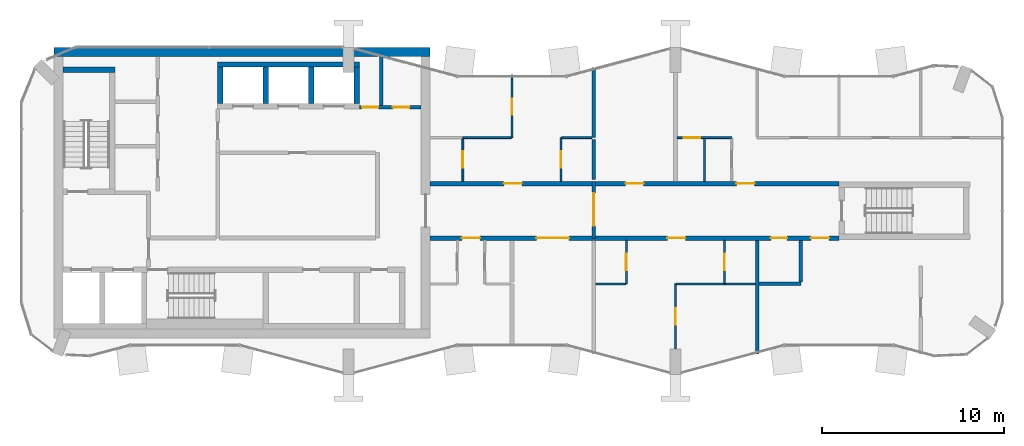
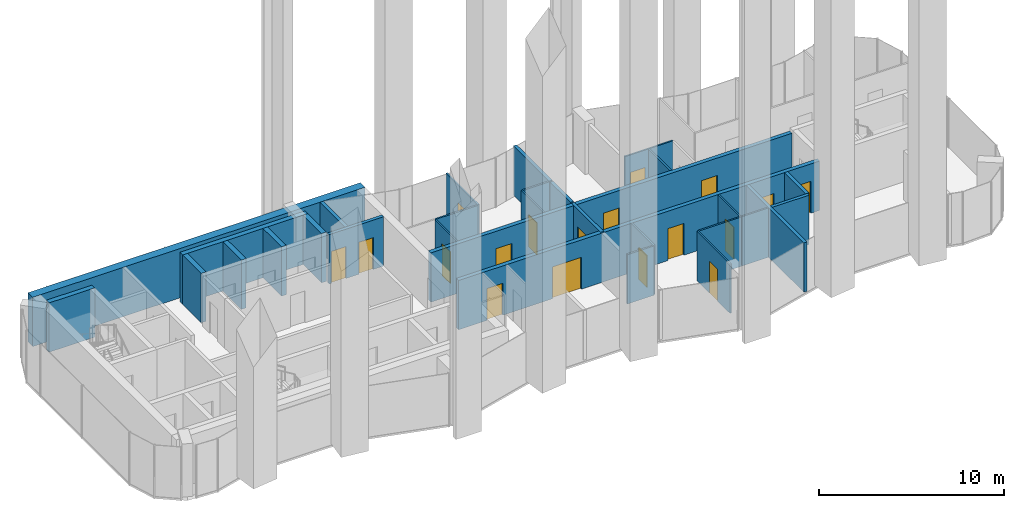
# One storey, part 8 of 11: 30 walls, 18 doors, 18 openings.
"""IFC4 building model written with IfcOpenShell, lengths in metres."""

from ifc_helpers import new_model, si_unit, direction, frame, frame_2d, origin, place, context, subcontext, project, spatial, rectangle, extrude, material, layer, layer_set, type_object, element, fill, save


model = new_model("IFC4")

# Units and contexts
model_context = context("Model", 3, precision=1e-05, world=origin(), true_north=direction((0.0, 1.0)))
body_context = subcontext(model_context, "Body", "Model", "MODEL_VIEW")
ifc_project = project(units=[si_unit("LENGTHUNIT", "METRE"), si_unit("AREAUNIT", "SQUARE_METRE"), si_unit("VOLUMEUNIT", "CUBIC_METRE"), si_unit("PLANEANGLEUNIT", "RADIAN"), si_unit("MASSUNIT", "GRAM", prefix="KILO")], contexts=[model_context])

# Site, building, storey
site_placement = place(None, origin())
site = spatial("IfcSite", under=ifc_project, at=site_placement, CompositionType="ELEMENT")
building_placement = place(site_placement, origin())
building = spatial("IfcBuilding", under=site, at=building_placement, Name="Plateau Cross Towers", CompositionType="ELEMENT")
storey_placement = place(building_placement, frame((0.0, 0.0, 242.39990234375)))
storey = spatial("IfcBuildingStorey", under=building, at=storey_placement, Name="L63", CompositionType="ELEMENT", Elevation=242.39990234375)

# Wall, openings, doors
ifc_material_1 = material(Name="Concrete block, plastered both sides", Category="concrete")
ifc_layer_1 = layer(ifc_material_1, 0.199951171875)
ifc_layer_set_1 = layer_set([ifc_layer_1], Name="Concrete block, plastered both sides")
wall_type_1 = type_object("IfcWallType", Name="Core partition 200", PredefinedType="PARTITIONING", material=ifc_layer_set_1)
wall_1_placement = place(storey_placement, frame((18.60009765625, 14.699951171875, 0.0), z_axis=(0.0, 0.0, 1.0), x_axis=(1.0, 0.0, 0.0)))
wall_1 = element("IfcWall", 1, at=wall_1_placement, inside=storey, type_object=wall_type_1, Name="Core partition", PredefinedType="PARTITIONING", context=body_context, shape_type="SweptSolid", body=[
    extrude(rectangle(XDim=3.39990234375, YDim=0.199951171875, at=frame_2d((1.699951171875, 0.0))), origin(), (0.0, 0.0, 1.0), 3.25),
])
opening_1_placement = place(wall_1_placement, frame((0.14990234375, 0.0, 0.0)))
opening_1 = element("IfcOpeningElement", 2, at=opening_1_placement, cuts=wall_1, Name="Opening RD2", PredefinedType="OPENING", context=body_context, shape_type="SweptSolid", body=[
    extrude(rectangle(XDim=0.89990234375, YDim=2.10009765625, at=frame_2d((0.449951171875, 1.050048828125))), frame((0.0, 0.10986328125, 0.0), z_axis=(0.0, -1.0, 0.0), x_axis=(1.0, 0.0, 0.0)), (0.0, 0.0, 1.0), 0.219970703125),
])
opening_2_placement = place(wall_1_placement, frame((1.85009765625, 0.0, 0.0)))
opening_2 = element("IfcOpeningElement", 3, at=opening_2_placement, cuts=wall_1, Name="Opening RD2", PredefinedType="OPENING", context=body_context, shape_type="SweptSolid", body=[
    extrude(rectangle(XDim=0.89990234375, YDim=2.10009765625, at=frame_2d((0.449951171875, 1.050048828125))), frame((0.0, 0.10986328125, 0.0), z_axis=(0.0, -1.0, 0.0), x_axis=(1.0, 0.0, 0.0)), (0.0, 0.0, 1.0), 0.219970703125),
])
ifc_material_2 = material(Name="Steel, fire-resisting leaf", Category="steel")
door_type_1 = type_object("IfcDoorType", Name="Core riser door 900", OperationType="NOTDEFINED", PredefinedType="DOOR", material=ifc_material_2)
door_1_placement = place(opening_1_placement, origin())
door_1 = element("IfcDoor", 4, at=door_1_placement, inside=storey, type_object=door_type_1, Name="Core riser door RD2", OperationType="SINGLE_SWING_LEFT", OverallHeight=2.10009765625, OverallWidth=0.89990234375, PredefinedType="DOOR", context=body_context, shape_type="SweptSolid", body=[
    extrude(rectangle(XDim=0.89990234375, YDim=2.10009765625, at=frame_2d((0.449951171875, 1.050048828125))), frame((0.0, 0.02490234375, 0.0), z_axis=(0.0, -1.0, 0.0), x_axis=(1.0, 0.0, 0.0)), (0.0, 0.0, 1.0), 0.050048828125),
])
fill(opening_1, door_1)
door_2_placement = place(opening_2_placement, origin())
door_2 = element("IfcDoor", 5, at=door_2_placement, inside=storey, type_object=door_type_1, Name="Core riser door RD2", OperationType="SINGLE_SWING_LEFT", OverallHeight=2.10009765625, OverallWidth=0.89990234375, PredefinedType="DOOR", context=body_context, shape_type="SweptSolid", body=[
    extrude(rectangle(XDim=0.89990234375, YDim=2.10009765625, at=frame_2d((0.449951171875, 1.050048828125))), frame((0.0, 0.02490234375, 0.0), z_axis=(0.0, -1.0, 0.0), x_axis=(1.0, 0.0, 0.0)), (0.0, 0.0, 1.0), 0.050048828125),
])
fill(opening_2, door_2)

# Walls
wall_2_placement = place(storey_placement, frame((19.800048828125, 14.800048828125, 0.0), z_axis=(0.0, 0.0, 1.0), x_axis=(0.0, 1.0, 0.0)))
element("IfcWall", 6, at=wall_2_placement, inside=storey, type_object=wall_type_1, Name="Core partition", PredefinedType="PARTITIONING", context=body_context, shape_type="SweptSolid", body=[
    extrude(rectangle(XDim=2.699951171875, YDim=0.199951171875, at=frame_2d((1.35009765625, 0.0))), origin(), (0.0, 0.0, 1.0), 3.25),
])
ifc_material_3 = material(Name="Concrete C60/75", Category="concrete")
ifc_layer_2 = layer(ifc_material_3, 0.300048828125)
ifc_layer_set_2 = layer_set([ifc_layer_2], Name="Concrete C60/75")
wall_type_2 = type_object("IfcWallType", Name="Core shaft wall 300", PredefinedType="SHEAR", material=ifc_layer_set_2)
wall_3_placement = place(storey_placement, frame((2.300048828125, 16.75, 0.0), z_axis=(0.0, 0.0, 1.0), x_axis=(1.0, 0.0, 0.0)))
element("IfcWall", 7, at=wall_3_placement, inside=storey, type_object=wall_type_2, Name="A-st1-N@L63", PredefinedType="SHEAR", context=body_context, shape_type="SweptSolid", body=[
    extrude(rectangle(XDim=2.849853515625, YDim=0.300048828125, at=frame_2d((1.4248046875, 0.0))), origin(), (0.0, 0.0, 1.0), 3.25),
])
wall_4_placement = place(storey_placement, frame((10.800048828125, 17.050048828125, 0.0), z_axis=(0.0, 0.0, 1.0), x_axis=(1.0, 0.0, 0.0)))
element("IfcWall", 8, at=wall_4_placement, inside=storey, type_object=wall_type_2, Name="A-nb-back@L63", PredefinedType="SHEAR", context=body_context, shape_type="SweptSolid", body=[
    extrude(rectangle(XDim=7.800048828125, YDim=0.300048828125, at=frame_2d((3.89990234375, 0.0))), origin(), (0.0, 0.0, 1.0), 3.25),
])
for number, where, z_axis, x_axis, name in (
    (9, (10.949951171875, 14.89990234375, 0.0), (0.0, 0.0, 1.0), (0.0, 1.0, 0.0), "A-nb-v1@L63"),
    (10, (13.449951171875, 14.89990234375, 0.0), (0.0, 0.0, 1.0), (0.0, 1.0, 0.0), "A-nb-v2@L63"),
    (11, (15.949951171875, 14.89990234375, 0.0), (0.0, 0.0, 1.0), (0.0, 1.0, 0.0), "A-nb-v3@L63"),
    (12, (18.449951171875, 14.89990234375, 0.0), (0.0, 0.0, 1.0), (0.0, 1.0, 0.0), "A-nb-v4@L63"),
):
    element("IfcWall", number, at=place(storey_placement, frame(where, z_axis=z_axis, x_axis=x_axis)), inside=storey, type_object=wall_type_2, Name=name, PredefinedType="SHEAR", context=body_context, shape_type="SweptSolid", body=[
        extrude(rectangle(XDim=2.0, YDim=0.300048828125, at=frame_2d((1.0, 0.0))), origin(), (0.0, 0.0, 1.0), 3.25),
    ])
ifc_layer_3 = layer(ifc_material_3, 0.5)
ifc_layer_set_3 = layer_set([ifc_layer_3], Name="Concrete C60/75")
wall_type_3 = type_object("IfcWallType", Name="Core shell wall 500", PredefinedType="SHEAR", material=ifc_layer_set_3)
wall_5_placement = place(storey_placement, frame((1.800048828125, 17.75, 0.0), z_axis=(0.0, 0.0, 1.0), x_axis=(1.0, 0.0, 0.0)))
element("IfcWall", 13, at=wall_5_placement, inside=storey, type_object=wall_type_3, Name="A-core-N@L63", PredefinedType="SHEAR", context=body_context, shape_type="SweptSolid", body=[
    extrude(rectangle(XDim=20.699951171875, YDim=0.5, at=frame_2d((10.35009765625, 0.0))), origin(), (0.0, 0.0, 1.0), 3.25),
])

# Wall, openings, doors
ifc_layer_4 = layer(ifc_material_3, 0.25)
ifc_layer_set_4 = layer_set([ifc_layer_4], Name="Concrete C60/75")
wall_type_4 = type_object("IfcWallType", Name="Corridor wall 250", PredefinedType="SHEAR", material=ifc_layer_set_4)
wall_6_placement = place(storey_placement, frame((22.5, 7.5, 0.0), z_axis=(0.0, 0.0, 1.0), x_axis=(1.0, 0.0, 0.0)))
wall_6 = element("IfcWall", 14, at=wall_6_placement, inside=storey, type_object=wall_type_4, Name="A-cw-S1@L63", PredefinedType="SHEAR", context=body_context, shape_type="SweptSolid", body=[
    extrude(rectangle(XDim=22.5, YDim=0.25, at=frame_2d((11.25, 0.0))), origin(), (0.0, 0.0, 1.0), 3.25),
])
opening_3_placement = place(wall_6_placement, frame((1.75, 0.0, 0.0)))
opening_3 = element("IfcOpeningElement", 15, at=opening_3_placement, cuts=wall_6, Name="Opening 63-01", PredefinedType="OPENING", context=body_context, shape_type="SweptSolid", body=[
    extrude(rectangle(XDim=1.0, YDim=2.10009765625, at=frame_2d((0.5, 1.050048828125))), frame((0.0, 0.135009765625, 0.0), z_axis=(0.0, -1.0, 0.0), x_axis=(1.0, 0.0, 0.0)), (0.0, 0.0, 1.0), 0.27001953125),
])
opening_4_placement = place(wall_6_placement, frame((5.85009765625, 0.0, 0.0)))
opening_4 = element("IfcOpeningElement", 16, at=opening_4_placement, cuts=wall_6, Name="Opening 63-02", PredefinedType="OPENING", context=body_context, shape_type="SweptSolid", body=[
    extrude(rectangle(XDim=1.800048828125, YDim=2.10009765625, at=frame_2d((0.89990234375, 1.050048828125))), frame((0.0, 0.135009765625, 0.0), z_axis=(0.0, -1.0, 0.0), x_axis=(1.0, 0.0, 0.0)), (0.0, 0.0, 1.0), 0.27001953125),
])
opening_5_placement = place(wall_6_placement, frame((13.050048828125, 0.0, 0.0)))
opening_5 = element("IfcOpeningElement", 17, at=opening_5_placement, cuts=wall_6, Name="Opening 63-03", PredefinedType="OPENING", context=body_context, shape_type="SweptSolid", body=[
    extrude(rectangle(XDim=1.0, YDim=2.10009765625, at=frame_2d((0.5, 1.050048828125))), frame((0.0, 0.135009765625, 0.0), z_axis=(0.0, -1.0, 0.0), x_axis=(1.0, 0.0, 0.0)), (0.0, 0.0, 1.0), 0.27001953125),
])
opening_6_placement = place(wall_6_placement, frame((18.75, 0.0, 0.0)))
opening_6 = element("IfcOpeningElement", 18, at=opening_6_placement, cuts=wall_6, Name="Opening 63-04", PredefinedType="OPENING", context=body_context, shape_type="SweptSolid", body=[
    extrude(rectangle(XDim=0.89990234375, YDim=2.10009765625, at=frame_2d((0.449951171875, 1.050048828125))), frame((0.0, 0.135009765625, 0.0), z_axis=(0.0, -1.0, 0.0), x_axis=(1.0, 0.0, 0.0)), (0.0, 0.0, 1.0), 0.27001953125),
])
opening_7_placement = place(wall_6_placement, frame((20.949951171875, 0.0, 0.0)))
opening_7 = element("IfcOpeningElement", 19, at=opening_7_placement, cuts=wall_6, Name="Opening 63-05", PredefinedType="OPENING", context=body_context, shape_type="SweptSolid", body=[
    extrude(rectangle(XDim=1.0, YDim=2.10009765625, at=frame_2d((0.5, 1.050048828125))), frame((0.0, 0.135009765625, 0.0), z_axis=(0.0, -1.0, 0.0), x_axis=(1.0, 0.0, 0.0)), (0.0, 0.0, 1.0), 0.27001953125),
])
ifc_material_4 = material(Name="Timber, fire-resisting leaf", Category="wood")
door_type_2 = type_object("IfcDoorType", Name="Flat entrance door 1000", OperationType="NOTDEFINED", PredefinedType="DOOR", material=ifc_material_4)
door_3_placement = place(opening_3_placement, origin())
door_3 = element("IfcDoor", 20, at=door_3_placement, inside=storey, type_object=door_type_2, Name="Door 63-01", OperationType="SINGLE_SWING_LEFT", OverallHeight=2.10009765625, OverallWidth=1.0, PredefinedType="DOOR", context=body_context, shape_type="SweptSolid", body=[
    extrude(rectangle(XDim=1.0, YDim=2.10009765625, at=frame_2d((0.5, 1.050048828125))), frame((0.0, 0.02490234375, 0.0), z_axis=(0.0, -1.0, 0.0), x_axis=(1.0, 0.0, 0.0)), (0.0, 0.0, 1.0), 0.050048828125),
])
fill(opening_3, door_3)
door_4_placement = place(opening_5_placement, origin())
door_4 = element("IfcDoor", 21, at=door_4_placement, inside=storey, type_object=door_type_2, Name="Door 63-03", OperationType="SINGLE_SWING_RIGHT", OverallHeight=2.10009765625, OverallWidth=1.0, PredefinedType="DOOR", context=body_context, shape_type="SweptSolid", body=[
    extrude(rectangle(XDim=1.0, YDim=2.10009765625, at=frame_2d((0.5, 1.050048828125))), frame((0.0, 0.02490234375, 0.0), z_axis=(0.0, -1.0, 0.0), x_axis=(1.0, 0.0, 0.0)), (0.0, 0.0, 1.0), 0.050048828125),
])
fill(opening_5, door_4)
door_5_placement = place(opening_7_placement, origin())
door_5 = element("IfcDoor", 22, at=door_5_placement, inside=storey, type_object=door_type_2, Name="Door 63-05", OperationType="SINGLE_SWING_RIGHT", OverallHeight=2.10009765625, OverallWidth=1.0, PredefinedType="DOOR", context=body_context, shape_type="SweptSolid", body=[
    extrude(rectangle(XDim=1.0, YDim=2.10009765625, at=frame_2d((0.5, 1.050048828125))), frame((0.0, 0.02490234375, 0.0), z_axis=(0.0, -1.0, 0.0), x_axis=(1.0, 0.0, 0.0)), (0.0, 0.0, 1.0), 0.050048828125),
])
fill(opening_7, door_5)
ifc_material_5 = material(Name="Timber, fire-resisting leaves", Category="wood")
door_type_3 = type_object("IfcDoorType", Name="Flat floor fire door pair 1800", OperationType="NOTDEFINED", PredefinedType="DOOR", material=ifc_material_5)
door_6_placement = place(opening_4_placement, origin())
door_6 = element("IfcDoor", 23, at=door_6_placement, inside=storey, type_object=door_type_3, Name="Door 63-02", OperationType="SINGLE_SWING_LEFT", OverallHeight=2.10009765625, OverallWidth=1.800048828125, PredefinedType="DOOR", context=body_context, shape_type="SweptSolid", body=[
    extrude(rectangle(XDim=1.800048828125, YDim=2.10009765625, at=frame_2d((0.89990234375, 1.050048828125))), frame((0.0, 0.02490234375, 0.0), z_axis=(0.0, -1.0, 0.0), x_axis=(1.0, 0.0, 0.0)), (0.0, 0.0, 1.0), 0.050048828125),
])
fill(opening_4, door_6)
door_type_4 = type_object("IfcDoorType", Name="Flat floor service door 900", OperationType="NOTDEFINED", PredefinedType="DOOR", material=ifc_material_4)
door_7_placement = place(opening_6_placement, origin())
door_7 = element("IfcDoor", 24, at=door_7_placement, inside=storey, type_object=door_type_4, Name="Door 63-04", OperationType="SINGLE_SWING_RIGHT", OverallHeight=2.10009765625, OverallWidth=0.89990234375, PredefinedType="DOOR", context=body_context, shape_type="SweptSolid", body=[
    extrude(rectangle(XDim=0.89990234375, YDim=2.10009765625, at=frame_2d((0.449951171875, 1.050048828125))), frame((0.0, 0.02490234375, 0.0), z_axis=(0.0, -1.0, 0.0), x_axis=(1.0, 0.0, 0.0)), (0.0, 0.0, 1.0), 0.050048828125),
])
fill(opening_6, door_7)

wall_7_placement = place(storey_placement, frame((22.5, 10.5, 0.0), z_axis=(0.0, 0.0, 1.0), x_axis=(1.0, 0.0, 0.0)))
wall_7 = element("IfcWall", 25, at=wall_7_placement, inside=storey, type_object=wall_type_4, Name="A-cw-S2@L63", PredefinedType="SHEAR", context=body_context, shape_type="SweptSolid", body=[
    extrude(rectangle(XDim=22.5, YDim=0.25, at=frame_2d((11.25, 0.0))), origin(), (0.0, 0.0, 1.0), 3.25),
])
opening_8_placement = place(wall_7_placement, frame((4.050048828125, 0.0, 0.0)))
opening_8 = element("IfcOpeningElement", 26, at=opening_8_placement, cuts=wall_7, Name="Opening 63-06", PredefinedType="OPENING", context=body_context, shape_type="SweptSolid", body=[
    extrude(rectangle(XDim=1.0, YDim=2.10009765625, at=frame_2d((0.5, 1.050048828125))), frame((0.0, 0.135009765625, 0.0), z_axis=(0.0, -1.0, 0.0), x_axis=(1.0, 0.0, 0.0)), (0.0, 0.0, 1.0), 0.27001953125),
])
opening_9_placement = place(wall_7_placement, frame((10.75, 0.0, 0.0)))
opening_9 = element("IfcOpeningElement", 27, at=opening_9_placement, cuts=wall_7, Name="Opening 63-07", PredefinedType="OPENING", context=body_context, shape_type="SweptSolid", body=[
    extrude(rectangle(XDim=1.0, YDim=2.10009765625, at=frame_2d((0.5, 1.050048828125))), frame((0.0, 0.135009765625, 0.0), z_axis=(0.0, -1.0, 0.0), x_axis=(1.0, 0.0, 0.0)), (0.0, 0.0, 1.0), 0.27001953125),
])
opening_10_placement = place(wall_7_placement, frame((16.85009765625, 0.0, 0.0)))
opening_10 = element("IfcOpeningElement", 28, at=opening_10_placement, cuts=wall_7, Name="Opening 63-08", PredefinedType="OPENING", context=body_context, shape_type="SweptSolid", body=[
    extrude(rectangle(XDim=1.0, YDim=2.10009765625, at=frame_2d((0.5, 1.050048828125))), frame((0.0, 0.135009765625, 0.0), z_axis=(0.0, -1.0, 0.0), x_axis=(1.0, 0.0, 0.0)), (0.0, 0.0, 1.0), 0.27001953125),
])
door_8_placement = place(opening_8_placement, origin())
door_8 = element("IfcDoor", 29, at=door_8_placement, inside=storey, type_object=door_type_2, Name="Door 63-06", OperationType="SINGLE_SWING_LEFT", OverallHeight=2.10009765625, OverallWidth=1.0, PredefinedType="DOOR", context=body_context, shape_type="SweptSolid", body=[
    extrude(rectangle(XDim=1.0, YDim=2.10009765625, at=frame_2d((0.5, 1.050048828125))), frame((0.0, 0.02490234375, 0.0), z_axis=(0.0, -1.0, 0.0), x_axis=(1.0, 0.0, 0.0)), (0.0, 0.0, 1.0), 0.050048828125),
])
fill(opening_8, door_8)
door_9_placement = place(opening_9_placement, origin())
door_9 = element("IfcDoor", 30, at=door_9_placement, inside=storey, type_object=door_type_2, Name="Door 63-07", OperationType="SINGLE_SWING_LEFT", OverallHeight=2.10009765625, OverallWidth=1.0, PredefinedType="DOOR", context=body_context, shape_type="SweptSolid", body=[
    extrude(rectangle(XDim=1.0, YDim=2.10009765625, at=frame_2d((0.5, 1.050048828125))), frame((0.0, 0.02490234375, 0.0), z_axis=(0.0, -1.0, 0.0), x_axis=(1.0, 0.0, 0.0)), (0.0, 0.0, 1.0), 0.050048828125),
])
fill(opening_9, door_9)
door_10_placement = place(opening_10_placement, origin())
door_10 = element("IfcDoor", 31, at=door_10_placement, inside=storey, type_object=door_type_2, Name="Door 63-08", OperationType="SINGLE_SWING_RIGHT", OverallHeight=2.10009765625, OverallWidth=1.0, PredefinedType="DOOR", context=body_context, shape_type="SweptSolid", body=[
    extrude(rectangle(XDim=1.0, YDim=2.10009765625, at=frame_2d((0.5, 1.050048828125))), frame((0.0, 0.02490234375, 0.0), z_axis=(0.0, -1.0, 0.0), x_axis=(1.0, 0.0, 0.0)), (0.0, 0.0, 1.0), 0.050048828125),
])
fill(opening_10, door_10)

# Walls
ifc_material_6 = material(Name="Gypsum board on steel studs", Category="steel")
ifc_layer_5 = layer(ifc_material_6, 0.10009765625)
ifc_layer_set_5 = layer_set([ifc_layer_5], Name="Gypsum board on steel studs")
wall_type_5 = type_object("IfcWallType", Name="Flat partition 100", PredefinedType="PARTITIONING", material=ifc_layer_set_5)
wall_8_placement = place(storey_placement, frame((38.699951171875, 4.97509765625, 0.0), z_axis=(0.0, 0.0, 1.0), x_axis=(-1.0, 0.0, 0.0)))
element("IfcWall", 32, at=wall_8_placement, inside=storey, type_object=wall_type_5, Name="Partition wall", PredefinedType="PARTITIONING", context=body_context, shape_type="SweptSolid", body=[
    extrude(rectangle(XDim=2.64990234375, YDim=0.10009765625, at=frame_2d((1.324951171875, 0.0))), origin(), (0.0, 0.0, 1.0), 3.25),
])
for number, where, z_axis, x_axis, name in (
    (33, (31.60009765625, 4.97509765625, 0.0), (0.0, 0.0, 1.0), (1.0, 0.0, 0.0), "Partition wall"),
    (34, (38.75, 4.97509765625, 0.0), (0.0, 0.0, 1.0), (1.0, 0.0, 0.0), "Partition wall"),
    (35, (31.39990234375, 13.02490234375, 0.0), (0.0, 0.0, 1.0), (-1.0, 0.0, 0.0), "Partition wall"),
):
    element("IfcWall", number, at=place(storey_placement, frame(where, z_axis=z_axis, x_axis=x_axis)), inside=storey, type_object=wall_type_5, Name=name, PredefinedType="PARTITIONING", context=body_context, shape_type="SweptSolid", body=[
        extrude(rectangle(XDim=1.64990234375, YDim=0.10009765625, at=frame_2d((0.824951171875, 0.0))), origin(), (0.0, 0.0, 1.0), 3.25),
    ])

# Wall, opening, door
wall_9_placement = place(storey_placement, frame((39.10009765625, 13.02490234375, 0.0), z_axis=(0.0, 0.0, 1.0), x_axis=(-1.0, 0.0, 0.0)))
wall_9 = element("IfcWall", 36, at=wall_9_placement, inside=storey, type_object=wall_type_5, Name="Partition wall", PredefinedType="PARTITIONING", context=body_context, shape_type="SweptSolid", body=[
    extrude(rectangle(XDim=3.0, YDim=0.10009765625, at=frame_2d((1.5, 0.0))), origin(), (0.0, 0.0, 1.0), 3.25),
])
opening_11_placement = place(wall_9_placement, frame((1.75, 0.0, 0.0)))
opening_11 = element("IfcOpeningElement", 37, at=opening_11_placement, cuts=wall_9, Name="Opening 63-19", PredefinedType="OPENING", context=body_context, shape_type="SweptSolid", body=[
    extrude(rectangle(XDim=0.89990234375, YDim=2.10009765625, at=frame_2d((0.449951171875, 1.050048828125))), frame((0.0, 0.06005859375, 0.0), z_axis=(0.0, -1.0, 0.0), x_axis=(1.0, 0.0, 0.0)), (0.0, 0.0, 1.0), 0.1201171875),
])
ifc_material_7 = material(Name="Timber leaf", Category="wood")
door_type_5 = type_object("IfcDoorType", Name="Flat room door 900", OperationType="NOTDEFINED", PredefinedType="DOOR", material=ifc_material_7)
door_11_placement = place(opening_11_placement, origin())
door_11 = element("IfcDoor", 38, at=door_11_placement, inside=storey, type_object=door_type_5, Name="Door 63-19", OperationType="SINGLE_SWING_RIGHT", OverallHeight=2.10009765625, OverallWidth=0.89990234375, PredefinedType="DOOR", context=body_context, shape_type="SweptSolid", body=[
    extrude(rectangle(XDim=0.89990234375, YDim=2.10009765625, at=frame_2d((0.449951171875, 1.050048828125))), frame((0.0, 0.02490234375, 0.0), z_axis=(0.0, -1.0, 0.0), x_axis=(1.0, 0.0, 0.0)), (0.0, 0.0, 1.0), 0.050048828125),
])
fill(opening_11, door_11)

# Wall
wall_10_placement = place(storey_placement, frame((24.300048828125, 13.02490234375, 0.0), z_axis=(0.0, 0.0, 1.0), x_axis=(1.0, 0.0, 0.0)))
element("IfcWall", 39, at=wall_10_placement, inside=storey, type_object=wall_type_5, Name="Partition wall", PredefinedType="PARTITIONING", context=body_context, shape_type="SweptSolid", body=[
    extrude(rectangle(XDim=2.64990234375, YDim=0.10009765625, at=frame_2d((1.324951171875, 0.0))), origin(), (0.0, 0.0, 1.0), 3.25),
])

# Wall, opening, door
wall_11_placement = place(storey_placement, frame((24.300048828125, 10.625, 0.0), z_axis=(0.0, 0.0, 1.0), x_axis=(0.0, 1.0, 0.0)))
wall_11 = element("IfcWall", 40, at=wall_11_placement, inside=storey, type_object=wall_type_5, Name="Partition wall", PredefinedType="PARTITIONING", context=body_context, shape_type="SweptSolid", body=[
    extrude(rectangle(XDim=2.35009765625, YDim=0.10009765625, at=frame_2d((1.175048828125, 0.0))), origin(), (0.0, 0.0, 1.0), 3.25),
])
opening_12_placement = place(wall_11_placement, frame((0.75, 0.0, 0.0)))
opening_12 = element("IfcOpeningElement", 41, at=opening_12_placement, cuts=wall_11, Name="Opening 63-16", PredefinedType="OPENING", context=body_context, shape_type="SweptSolid", body=[
    extrude(rectangle(XDim=0.89990234375, YDim=2.10009765625, at=frame_2d((0.449951171875, 1.050048828125))), frame((0.0, 0.06005859375, 0.0), z_axis=(0.0, -1.0, 0.0), x_axis=(1.0, 0.0, 0.0)), (0.0, 0.0, 1.0), 0.1201171875),
])
door_12_placement = place(opening_12_placement, origin())
door_12 = element("IfcDoor", 42, at=door_12_placement, inside=storey, type_object=door_type_5, Name="Door 63-16", OperationType="SINGLE_SWING_RIGHT", OverallHeight=2.10009765625, OverallWidth=0.89990234375, PredefinedType="DOOR", context=body_context, shape_type="SweptSolid", body=[
    extrude(rectangle(XDim=0.89990234375, YDim=2.10009765625, at=frame_2d((0.449951171875, 1.050048828125))), frame((0.0, 0.02490234375, 0.0), z_axis=(0.0, -1.0, 0.0), x_axis=(1.0, 0.0, 0.0)), (0.0, 0.0, 1.0), 0.050048828125),
])
fill(opening_12, door_12)

wall_12_placement = place(storey_placement, frame((27.0, 13.02490234375, 0.0), z_axis=(0.0, 0.0, 1.0), x_axis=(0.0, 1.0, 0.0)))
wall_12 = element("IfcWall", 43, at=wall_12_placement, inside=storey, type_object=wall_type_5, Name="Partition wall", PredefinedType="PARTITIONING", context=body_context, shape_type="SweptSolid", body=[
    extrude(rectangle(XDim=3.4482421875, YDim=0.10009765625, at=frame_2d((1.72412109375, 0.0))), origin(), (0.0, 0.0, 1.0), 3.25),
])
opening_13_placement = place(wall_12_placement, frame((1.25, 0.0, 0.0)))
opening_13 = element("IfcOpeningElement", 44, at=opening_13_placement, cuts=wall_12, Name="Opening 63-18", PredefinedType="OPENING", context=body_context, shape_type="SweptSolid", body=[
    extrude(rectangle(XDim=0.89990234375, YDim=2.10009765625, at=frame_2d((0.449951171875, 1.050048828125))), frame((0.0, 0.06005859375, 0.0), z_axis=(0.0, -1.0, 0.0), x_axis=(1.0, 0.0, 0.0)), (0.0, 0.0, 1.0), 0.1201171875),
])
door_13_placement = place(opening_13_placement, origin())
door_13 = element("IfcDoor", 45, at=door_13_placement, inside=storey, type_object=door_type_5, Name="Door 63-18", OperationType="SINGLE_SWING_LEFT", OverallHeight=2.10009765625, OverallWidth=0.89990234375, PredefinedType="DOOR", context=body_context, shape_type="SweptSolid", body=[
    extrude(rectangle(XDim=0.89990234375, YDim=2.10009765625, at=frame_2d((0.449951171875, 1.050048828125))), frame((0.0, 0.02490234375, 0.0), z_axis=(0.0, -1.0, 0.0), x_axis=(1.0, 0.0, 0.0)), (0.0, 0.0, 1.0), 0.050048828125),
])
fill(opening_13, door_13)

wall_13_placement = place(storey_placement, frame((29.699951171875, 13.02490234375, 0.0), z_axis=(0.0, 0.0, 1.0), x_axis=(0.0, -1.0, 0.0)))
wall_13 = element("IfcWall", 46, at=wall_13_placement, inside=storey, type_object=wall_type_5, Name="Partition wall", PredefinedType="PARTITIONING", context=body_context, shape_type="SweptSolid", body=[
    extrude(rectangle(XDim=2.39990234375, YDim=0.10009765625, at=frame_2d((1.199951171875, 0.0))), origin(), (0.0, 0.0, 1.0), 3.25),
])
opening_14_placement = place(wall_13_placement, frame((0.75, 0.0, 0.0)))
opening_14 = element("IfcOpeningElement", 47, at=opening_14_placement, cuts=wall_13, Name="Opening 63-17", PredefinedType="OPENING", context=body_context, shape_type="SweptSolid", body=[
    extrude(rectangle(XDim=0.89990234375, YDim=2.10009765625, at=frame_2d((0.449951171875, 1.050048828125))), frame((0.0, 0.06005859375, 0.0), z_axis=(0.0, -1.0, 0.0), x_axis=(1.0, 0.0, 0.0)), (0.0, 0.0, 1.0), 0.1201171875),
])
door_14_placement = place(opening_14_placement, origin())
door_14 = element("IfcDoor", 48, at=door_14_placement, inside=storey, type_object=door_type_5, Name="Door 63-17", OperationType="SINGLE_SWING_LEFT", OverallHeight=2.10009765625, OverallWidth=0.89990234375, PredefinedType="DOOR", context=body_context, shape_type="SweptSolid", body=[
    extrude(rectangle(XDim=0.89990234375, YDim=2.10009765625, at=frame_2d((0.449951171875, 1.050048828125))), frame((0.0, 0.02490234375, 0.0), z_axis=(0.0, -1.0, 0.0), x_axis=(1.0, 0.0, 0.0)), (0.0, 0.0, 1.0), 0.050048828125),
])
fill(opening_14, door_14)

wall_14_placement = place(storey_placement, frame((33.300048828125, 4.97509765625, 0.0), z_axis=(0.0, 0.0, 1.0), x_axis=(0.0, 1.0, 0.0)))
wall_14 = element("IfcWall", 49, at=wall_14_placement, inside=storey, type_object=wall_type_5, Name="Partition wall", PredefinedType="PARTITIONING", context=body_context, shape_type="SweptSolid", body=[
    extrude(rectangle(XDim=2.39990234375, YDim=0.10009765625, at=frame_2d((1.199951171875, 0.0))), origin(), (0.0, 0.0, 1.0), 3.25),
])
opening_15_placement = place(wall_14_placement, frame((0.75, 0.0, 0.0)))
opening_15 = element("IfcOpeningElement", 50, at=opening_15_placement, cuts=wall_14, Name="Opening 63-13", PredefinedType="OPENING", context=body_context, shape_type="SweptSolid", body=[
    extrude(rectangle(XDim=0.89990234375, YDim=2.10009765625, at=frame_2d((0.449951171875, 1.050048828125))), frame((0.0, 0.06005859375, 0.0), z_axis=(0.0, -1.0, 0.0), x_axis=(1.0, 0.0, 0.0)), (0.0, 0.0, 1.0), 0.1201171875),
])
door_15_placement = place(opening_15_placement, origin())
door_15 = element("IfcDoor", 51, at=door_15_placement, inside=storey, type_object=door_type_5, Name="Door 63-13", OperationType="SINGLE_SWING_LEFT", OverallHeight=2.10009765625, OverallWidth=0.89990234375, PredefinedType="DOOR", context=body_context, shape_type="SweptSolid", body=[
    extrude(rectangle(XDim=0.89990234375, YDim=2.10009765625, at=frame_2d((0.449951171875, 1.050048828125))), frame((0.0, 0.02490234375, 0.0), z_axis=(0.0, -1.0, 0.0), x_axis=(1.0, 0.0, 0.0)), (0.0, 0.0, 1.0), 0.050048828125),
])
fill(opening_15, door_15)

wall_15_placement = place(storey_placement, frame((36.0, 4.97509765625, 0.0), z_axis=(0.0, 0.0, 1.0), x_axis=(0.0, -1.0, 0.0)))
wall_15 = element("IfcWall", 52, at=wall_15_placement, inside=storey, type_object=wall_type_5, Name="Partition wall", PredefinedType="PARTITIONING", context=body_context, shape_type="SweptSolid", body=[
    extrude(rectangle(XDim=3.5751953125, YDim=0.10009765625, at=frame_2d((1.78759765625, 0.0))), origin(), (0.0, 0.0, 1.0), 3.25),
])
opening_16_placement = place(wall_15_placement, frame((1.35009765625, 0.0, 0.0)))
opening_16 = element("IfcOpeningElement", 53, at=opening_16_placement, cuts=wall_15, Name="Opening 63-15", PredefinedType="OPENING", context=body_context, shape_type="SweptSolid", body=[
    extrude(rectangle(XDim=0.89990234375, YDim=2.10009765625, at=frame_2d((0.449951171875, 1.050048828125))), frame((0.0, 0.06005859375, 0.0), z_axis=(0.0, -1.0, 0.0), x_axis=(1.0, 0.0, 0.0)), (0.0, 0.0, 1.0), 0.1201171875),
])
door_16_placement = place(opening_16_placement, origin())
door_16 = element("IfcDoor", 54, at=door_16_placement, inside=storey, type_object=door_type_5, Name="Door 63-15", OperationType="SINGLE_SWING_RIGHT", OverallHeight=2.10009765625, OverallWidth=0.89990234375, PredefinedType="DOOR", context=body_context, shape_type="SweptSolid", body=[
    extrude(rectangle(XDim=0.89990234375, YDim=2.10009765625, at=frame_2d((0.449951171875, 1.050048828125))), frame((0.0, 0.02490234375, 0.0), z_axis=(0.0, -1.0, 0.0), x_axis=(1.0, 0.0, 0.0)), (0.0, 0.0, 1.0), 0.050048828125),
])
fill(opening_16, door_16)

# Wall
wall_16_placement = place(storey_placement, frame((37.60009765625, 10.625, 0.0), z_axis=(0.0, 0.0, 1.0), x_axis=(0.0, 1.0, 0.0)))
element("IfcWall", 55, at=wall_16_placement, inside=storey, type_object=wall_type_5, Name="Partition wall", PredefinedType="PARTITIONING", context=body_context, shape_type="SweptSolid", body=[
    extrude(rectangle(XDim=2.35009765625, YDim=0.10009765625, at=frame_2d((1.175048828125, 0.0))), origin(), (0.0, 0.0, 1.0), 3.25),
])

# Wall, opening, door
wall_17_placement = place(storey_placement, frame((38.699951171875, 7.375, 0.0), z_axis=(0.0, 0.0, 1.0), x_axis=(0.0, -1.0, 0.0)))
wall_17 = element("IfcWall", 56, at=wall_17_placement, inside=storey, type_object=wall_type_5, Name="Partition wall", PredefinedType="PARTITIONING", context=body_context, shape_type="SweptSolid", body=[
    extrude(rectangle(XDim=2.35009765625, YDim=0.10009765625, at=frame_2d((1.175048828125, 0.0))), origin(), (0.0, 0.0, 1.0), 3.25),
])
opening_17_placement = place(wall_17_placement, frame((0.75, 0.0, 0.0)))
opening_17 = element("IfcOpeningElement", 57, at=opening_17_placement, cuts=wall_17, Name="Opening 63-14", PredefinedType="OPENING", context=body_context, shape_type="SweptSolid", body=[
    extrude(rectangle(XDim=0.89990234375, YDim=2.10009765625, at=frame_2d((0.449951171875, 1.050048828125))), frame((0.0, 0.06005859375, 0.0), z_axis=(0.0, -1.0, 0.0), x_axis=(1.0, 0.0, 0.0)), (0.0, 0.0, 1.0), 0.1201171875),
])
door_17_placement = place(opening_17_placement, origin())
door_17 = element("IfcDoor", 58, at=door_17_placement, inside=storey, type_object=door_type_5, Name="Door 63-14", OperationType="SINGLE_SWING_RIGHT", OverallHeight=2.10009765625, OverallWidth=0.89990234375, PredefinedType="DOOR", context=body_context, shape_type="SweptSolid", body=[
    extrude(rectangle(XDim=0.89990234375, YDim=2.10009765625, at=frame_2d((0.449951171875, 1.050048828125))), frame((0.0, 0.02490234375, 0.0), z_axis=(0.0, -1.0, 0.0), x_axis=(1.0, 0.0, 0.0)), (0.0, 0.0, 1.0), 0.050048828125),
])
fill(opening_17, door_17)

# Walls
ifc_material_8 = material(Name="Gypsum board on steel studs, two layers each side", Category="steel")
ifc_layer_6 = layer(ifc_material_8, 0.199951171875)
ifc_layer_set_6 = layer_set([ifc_layer_6], Name="Gypsum board on steel studs, two layers each side")
wall_type_6 = type_object("IfcWallType", Name="Flat party wall 200", PredefinedType="PARTITIONING", material=ifc_layer_set_6)
wall_18_placement = place(storey_placement, frame((40.60009765625, 4.97509765625, 0.0), z_axis=(0.0, 0.0, 1.0), x_axis=(1.0, 0.0, 0.0)))
element("IfcWall", 59, at=wall_18_placement, inside=storey, type_object=wall_type_6, Name="Party wall", PredefinedType="PARTITIONING", context=body_context, shape_type="SweptSolid", body=[
    extrude(rectangle(XDim=2.2998046875, YDim=0.199951171875, at=frame_2d((1.14990234375, 0.0))), origin(), (0.0, 0.0, 1.0), 3.25),
])
wall_19_placement = place(storey_placement, frame((31.5, 16.877685546875, 0.0), z_axis=(0.0, 0.0, 1.0), x_axis=(0.0, -1.0, 0.0)))
element("IfcWall", 60, at=wall_19_placement, inside=storey, type_object=wall_type_6, Name="Party wall", PredefinedType="PARTITIONING", context=body_context, shape_type="SweptSolid", body=[
    extrude(rectangle(XDim=3.852783203125, YDim=0.199951171875, at=frame_2d((1.92626953125, 0.0))), origin(), (0.0, 0.0, 1.0), 3.25),
])
wall_20_placement = place(storey_placement, frame((31.5, 10.72509765625, 0.0), z_axis=(0.0, 0.0, 1.0), x_axis=(0.0, 1.0, 0.0)))
element("IfcWall", 61, at=wall_20_placement, inside=storey, type_object=wall_type_6, Name="Party wall", PredefinedType="PARTITIONING", context=body_context, shape_type="SweptSolid", body=[
    extrude(rectangle(XDim=2.199951171875, YDim=0.199951171875, at=frame_2d((1.10009765625, 0.0))), origin(), (0.0, 0.0, 1.0), 3.25),
])
wall_21_placement = place(storey_placement, frame((40.5, 1.122314453125, 0.0), z_axis=(0.0, 0.0, 1.0), x_axis=(0.0, 1.0, 0.0)))
element("IfcWall", 62, at=wall_21_placement, inside=storey, type_object=wall_type_6, Name="Party wall", PredefinedType="PARTITIONING", context=body_context, shape_type="SweptSolid", body=[
    extrude(rectangle(XDim=6.252685546875, YDim=0.199951171875, at=frame_2d((3.12646484375, 0.0))), origin(), (0.0, 0.0, 1.0), 3.25),
])
wall_22_placement = place(storey_placement, frame((42.89990234375, 5.074951171875, 0.0), z_axis=(0.0, 0.0, 1.0), x_axis=(0.0, 1.0, 0.0)))
element("IfcWall", 63, at=wall_22_placement, inside=storey, type_object=wall_type_6, Name="Party wall", PredefinedType="PARTITIONING", context=body_context, shape_type="SweptSolid", body=[
    extrude(rectangle(XDim=2.300048828125, YDim=0.199951171875, at=frame_2d((1.14990234375, 0.0))), origin(), (0.0, 0.0, 1.0), 3.25),
])

# Wall, opening, door
wall_23_placement = place(storey_placement, frame((31.5, 7.47509765625, 0.0), z_axis=(0.0, 0.0, 1.0), x_axis=(0.0, 1.0, 0.0)))
wall_23 = element("IfcWall", 64, at=wall_23_placement, inside=storey, type_object=wall_type_6, Name="Party wall", PredefinedType="PARTITIONING", context=body_context, shape_type="SweptSolid", body=[
    extrude(rectangle(XDim=3.14990234375, YDim=0.199951171875, at=frame_2d((1.574951171875, 0.0))), origin(), (0.0, 0.0, 1.0), 3.25),
])
opening_18_placement = place(wall_23_placement, frame((0.699951171875, 0.0, 0.0)))
opening_18 = element("IfcOpeningElement", 65, at=opening_18_placement, cuts=wall_23, Name="Opening 63-09", PredefinedType="OPENING", context=body_context, shape_type="SweptSolid", body=[
    extrude(rectangle(XDim=1.800048828125, YDim=2.10009765625, at=frame_2d((0.89990234375, 1.050048828125))), frame((0.0, 0.10986328125, 0.0), z_axis=(0.0, -1.0, 0.0), x_axis=(1.0, 0.0, 0.0)), (0.0, 0.0, 1.0), 0.219970703125),
])
door_18_placement = place(opening_18_placement, origin())
door_18 = element("IfcDoor", 66, at=door_18_placement, inside=storey, type_object=door_type_3, Name="Door 63-09", OperationType="SINGLE_SWING_RIGHT", OverallHeight=2.10009765625, OverallWidth=1.800048828125, PredefinedType="DOOR", context=body_context, shape_type="SweptSolid", body=[
    extrude(rectangle(XDim=1.800048828125, YDim=2.10009765625, at=frame_2d((0.89990234375, 1.050048828125))), frame((0.0, 0.02490234375, 0.0), z_axis=(0.0, -1.0, 0.0), x_axis=(1.0, 0.0, 0.0)), (0.0, 0.0, 1.0), 0.050048828125),
])
fill(opening_18, door_18)

save(model, "model.ifc")
